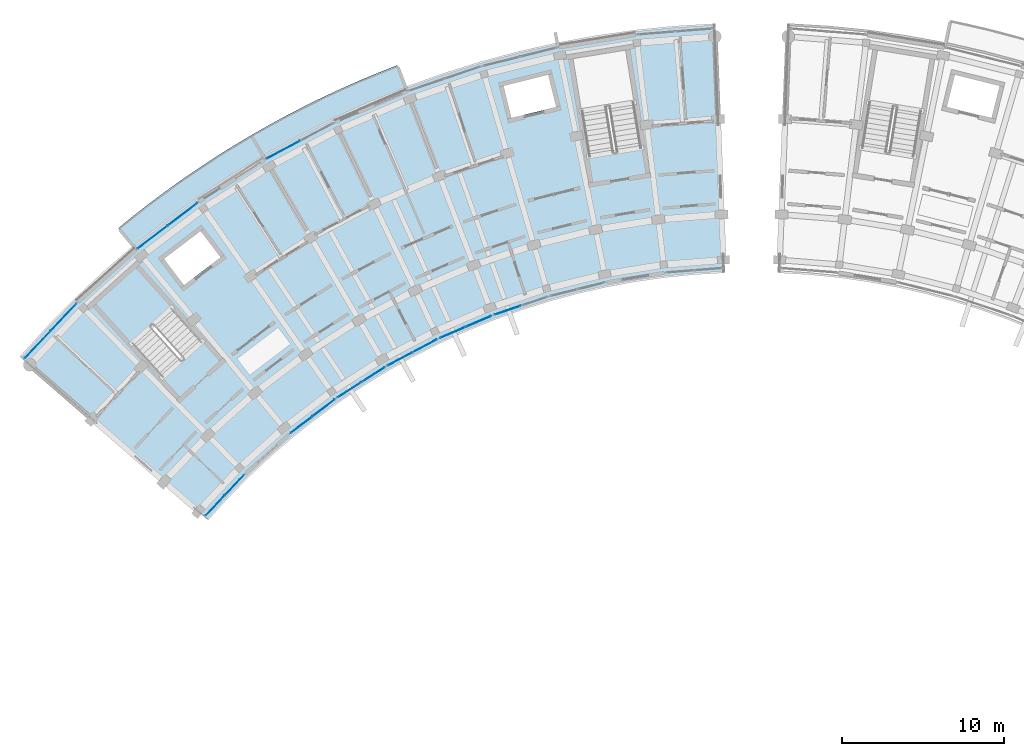
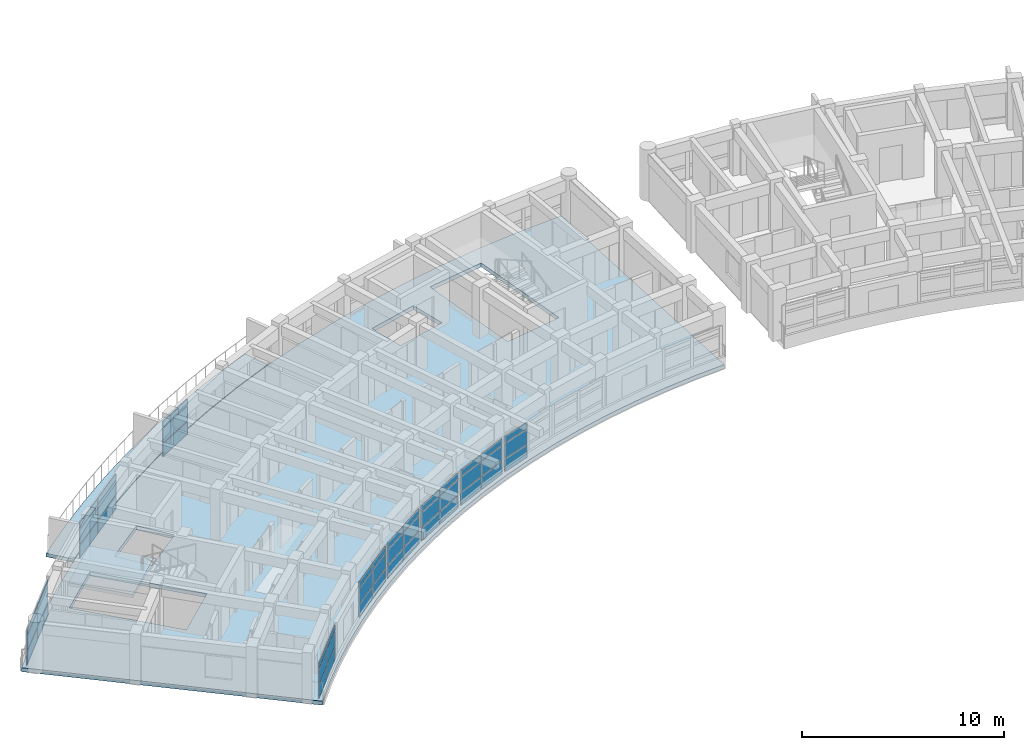
# One storey, part 20 of 54: 48 plates, 3 slabs, 10 elements without a shape of their own.
"""IFC4 building model written with IfcOpenShell, lengths in metres."""

from ifc_helpers import new_model, si_unit, direction, frame, origin, origin_2d, place, context, subcontext, project, spatial, polyline, rectangle, outline, extrude, material, layer, layer_set, type_object, element, aggregate, save


model = new_model("IFC4")

# Units and contexts
model_context = context("Model", 3, precision=1e-05, world=origin(), true_north=direction((0.0, 1.0)))
body_context = subcontext(model_context, "Body", "Model", "MODEL_VIEW")
ifc_project = project(units=[si_unit("LENGTHUNIT", "METRE"), si_unit("AREAUNIT", "SQUARE_METRE"), si_unit("VOLUMEUNIT", "CUBIC_METRE"), si_unit("PLANEANGLEUNIT", "RADIAN"), si_unit("MASSUNIT", "GRAM", prefix="KILO")], contexts=[model_context])

# Site, building, storey
site_placement = place(None, origin())
site = spatial("IfcSite", under=ifc_project, at=site_placement, CompositionType="ELEMENT")
building_placement = place(site_placement, origin())
building = spatial("IfcBuilding", under=site, at=building_placement, Name="Zimvara Arc Housing Community", CompositionType="ELEMENT")
storey_placement = place(building_placement, frame((0.0, 0.0, 20.5)))
storey = spatial("IfcBuildingStorey", under=building, at=storey_placement, Name="L06", CompositionType="ELEMENT", Elevation=20.5)

# Curtain wall, plates
ifc_material_1 = material(Name="Anodised Aluminium AW-6063", Category="aluminium")
curtain_wall_type_1 = type_object("IfcCurtainWallType", Name="CW-SYS-04", PredefinedType="USERDEFINED", material=ifc_material_1)
curtain_wall_1_placement = place(storey_placement, origin())
curtain_wall_1 = element("IfcCurtainWall", 1, at=curtain_wall_1_placement, inside=storey, type_object=curtain_wall_type_1, Name="cw:blkA:L06:in:b2", ObjectType="CURTAIN WALL", PredefinedType="USERDEFINED")
ifc_material_2 = material(Name="Pale-Gold Anodised Aluminium Spandrel Panel", Category="aluminium")
ifc_layer_1 = layer(ifc_material_2, 0.035888671875)
ifc_layer_set_1 = layer_set([ifc_layer_1], Name="Pale-Gold Anodised Aluminium Spandrel Panel")
plate_type_1 = type_object("IfcPlateType", Name="CWP-GLD-36", PredefinedType="CURTAIN_PANEL", material=ifc_layer_set_1)
plate_1_placement = place(storey_placement, frame((17.295654296875, 79.4404296875, 0.06494140625), z_axis=(0.0, 0.0, 1.0), x_axis=(0.795473543119, 0.605988318533, 0.0)))
plate_1 = element("IfcPlate", 2, at=plate_1_placement, type_object=plate_type_1, Name="CW04 panel 1.1", PredefinedType="CURTAIN_PANEL", context=body_context, shape_type="SweptSolid", body=[
    extrude(rectangle(XDim=1.664306640625, YDim=0.035888671875, at=origin_2d()), origin(), (0.0, 0.0, 1.0), 0.75244140625),
])
plate_2_placement = place(storey_placement, frame((17.295654296875, 79.4404296875, 0.88232421875), z_axis=(0.0, 0.0, 1.0), x_axis=(0.795473543119, 0.605988318533, 0.0)))
plate_2 = element("IfcPlate", 3, at=plate_2_placement, type_object=plate_type_1, Name="CW04 panel 1.2", PredefinedType="CURTAIN_PANEL", context=body_context, shape_type="SweptSolid", body=[
    extrude(rectangle(XDim=1.664306640625, YDim=0.035888671875, at=origin_2d()), origin(), (0.0, 0.0, 1.0), 0.885009765625),
])
plate_3_placement = place(storey_placement, frame((17.295654296875, 79.4404296875, 1.83251953125), z_axis=(0.0, 0.0, 1.0), x_axis=(0.795473543119, 0.605988318533, 0.0)))
plate_3 = element("IfcPlate", 4, at=plate_3_placement, type_object=plate_type_1, Name="CW04 panel 1.3", PredefinedType="CURTAIN_PANEL", context=body_context, shape_type="SweptSolid", body=[
    extrude(rectangle(XDim=1.664306640625, YDim=0.035888671875, at=origin_2d()), origin(), (0.0, 0.0, 1.0), 0.3525390625),
])
plate_4_placement = place(storey_placement, frame((18.671142578125, 80.48828125, 0.06494140625), z_axis=(0.0, 0.0, 1.0), x_axis=(0.795473543119, 0.605988318533, 0.0)))
plate_4 = element("IfcPlate", 5, at=plate_4_placement, type_object=plate_type_1, Name="CW04 panel 2.1", PredefinedType="CURTAIN_PANEL", context=body_context, shape_type="SweptSolid", body=[
    extrude(rectangle(XDim=1.664306640625, YDim=0.035888671875, at=origin_2d()), origin(), (0.0, 0.0, 1.0), 0.75244140625),
])
plate_5_placement = place(storey_placement, frame((18.671142578125, 80.48828125, 0.88232421875), z_axis=(0.0, 0.0, 1.0), x_axis=(0.795473543119, 0.605988318533, 0.0)))
plate_5 = element("IfcPlate", 6, at=plate_5_placement, type_object=plate_type_1, Name="CW04 panel 2.2", PredefinedType="CURTAIN_PANEL", context=body_context, shape_type="SweptSolid", body=[
    extrude(rectangle(XDim=1.664306640625, YDim=0.035888671875, at=origin_2d()), origin(), (0.0, 0.0, 1.0), 0.885009765625),
])
plate_6_placement = place(storey_placement, frame((18.671142578125, 80.48828125, 1.83251953125), z_axis=(0.0, 0.0, 1.0), x_axis=(0.795473543119, 0.605988318533, 0.0)))
plate_6 = element("IfcPlate", 7, at=plate_6_placement, type_object=plate_type_1, Name="CW04 panel 2.3", PredefinedType="CURTAIN_PANEL", context=body_context, shape_type="SweptSolid", body=[
    extrude(rectangle(XDim=1.664306640625, YDim=0.035888671875, at=origin_2d()), origin(), (0.0, 0.0, 1.0), 0.3525390625),
])
aggregate(curtain_wall_1, [plate_1, plate_2, plate_3, plate_4, plate_5, plate_6])

ifc_material_3 = material(Name="Anodised Aluminium AW-6063", Category="aluminium")
curtain_wall_type_2 = type_object("IfcCurtainWallType", Name="CW-SYS-08", PredefinedType="USERDEFINED", material=ifc_material_3)
curtain_wall_2_placement = place(storey_placement, origin())
curtain_wall_2 = element("IfcCurtainWall", 8, at=curtain_wall_2_placement, inside=storey, type_object=curtain_wall_type_2, Name="cw:blkA:L06:in:b5", ObjectType="CURTAIN WALL", PredefinedType="USERDEFINED")
plate_7_placement = place(storey_placement, frame((26.599609375, 85.11767578125, 0.06494140625), z_axis=(0.0, 0.0, 1.0), x_axis=(0.918722178415, 0.394904493375, 0.0)))
plate_7 = element("IfcPlate", 9, at=plate_7_placement, type_object=plate_type_1, Name="CW08 panel 1.1", PredefinedType="CURTAIN_PANEL", context=body_context, shape_type="SweptSolid", body=[
    extrude(rectangle(XDim=1.664306640625, YDim=0.035888671875, at=origin_2d()), origin(), (0.0, 0.0, 1.0), 0.75244140625),
])
plate_8_placement = place(storey_placement, frame((26.599609375, 85.11767578125, 0.88232421875), z_axis=(0.0, 0.0, 1.0), x_axis=(0.918722178415, 0.394904493375, 0.0)))
plate_8 = element("IfcPlate", 10, at=plate_8_placement, type_object=plate_type_1, Name="CW08 panel 1.2", PredefinedType="CURTAIN_PANEL", context=body_context, shape_type="SweptSolid", body=[
    extrude(rectangle(XDim=1.664306640625, YDim=0.035888671875, at=origin_2d()), origin(), (0.0, 0.0, 1.0), 0.885009765625),
])
plate_9_placement = place(storey_placement, frame((26.599609375, 85.11767578125, 1.83251953125), z_axis=(0.0, 0.0, 1.0), x_axis=(0.918722178415, 0.394904493375, 0.0)))
plate_9 = element("IfcPlate", 11, at=plate_9_placement, type_object=plate_type_1, Name="CW08 panel 1.3", PredefinedType="CURTAIN_PANEL", context=body_context, shape_type="SweptSolid", body=[
    extrude(rectangle(XDim=1.664306640625, YDim=0.035888671875, at=origin_2d()), origin(), (0.0, 0.0, 1.0), 0.3525390625),
])
plate_10_placement = place(storey_placement, frame((28.1884765625, 85.80078125, 0.06494140625), z_axis=(0.0, 0.0, 1.0), x_axis=(0.918722178415, 0.394904493375, 0.0)))
plate_10 = element("IfcPlate", 12, at=plate_10_placement, type_object=plate_type_1, Name="CW08 panel 2.1", PredefinedType="CURTAIN_PANEL", context=body_context, shape_type="SweptSolid", body=[
    extrude(rectangle(XDim=1.664306640625, YDim=0.035888671875, at=origin_2d()), origin(), (0.0, 0.0, 1.0), 0.75244140625),
])
plate_11_placement = place(storey_placement, frame((28.1884765625, 85.80078125, 0.88232421875), z_axis=(0.0, 0.0, 1.0), x_axis=(0.918722178415, 0.394904493375, 0.0)))
plate_11 = element("IfcPlate", 13, at=plate_11_placement, type_object=plate_type_1, Name="CW08 panel 2.2", PredefinedType="CURTAIN_PANEL", context=body_context, shape_type="SweptSolid", body=[
    extrude(rectangle(XDim=1.664306640625, YDim=0.035888671875, at=origin_2d()), origin(), (0.0, 0.0, 1.0), 0.885009765625),
])
plate_12_placement = place(storey_placement, frame((28.1884765625, 85.80078125, 1.83251953125), z_axis=(0.0, 0.0, 1.0), x_axis=(0.918722178415, 0.394904493375, 0.0)))
plate_12 = element("IfcPlate", 14, at=plate_12_placement, type_object=plate_type_1, Name="CW08 panel 2.3", PredefinedType="CURTAIN_PANEL", context=body_context, shape_type="SweptSolid", body=[
    extrude(rectangle(XDim=1.664306640625, YDim=0.035888671875, at=origin_2d()), origin(), (0.0, 0.0, 1.0), 0.3525390625),
])
aggregate(curtain_wall_2, [plate_7, plate_8, plate_9, plate_10, plate_11, plate_12])

ifc_material_4 = material(Name="Anodised Aluminium AW-6063", Category="aluminium")
curtain_wall_type_3 = type_object("IfcCurtainWallType", Name="CW-SYS-01", PredefinedType="USERDEFINED", material=ifc_material_4)
curtain_wall_3_placement = place(storey_placement, origin())
curtain_wall_3 = element("IfcCurtainWall", 15, at=curtain_wall_3_placement, inside=storey, type_object=curtain_wall_type_3, Name="cw:blkA:L06:out:b0", ObjectType="CURTAIN WALL", PredefinedType="USERDEFINED")
ifc_material_5 = material(Name="Solar Control Low-E Double Glazing", Category="glass")
ifc_layer_2 = layer(ifc_material_5, 0.02392578125)
ifc_layer_set_2 = layer_set([ifc_layer_2], Name="Solar Control Low-E Double Glazing")
plate_type_2 = type_object("IfcPlateType", Name="CWP-GLZ-24", PredefinedType="CURTAIN_PANEL", material=ifc_layer_set_2)
plate_13_placement = place(storey_placement, frame((1.049072265625, 84.3720703125, 0.06494140625), z_axis=(0.0, 0.0, 1.0), x_axis=(0.686326416495, 0.727293647725, 0.0)))
plate_13 = element("IfcPlate", 16, at=plate_13_placement, type_object=plate_type_2, Name="CW01 panel 1.1", PredefinedType="CURTAIN_PANEL", context=body_context, shape_type="SweptSolid", body=[
    extrude(rectangle(XDim=2.266845703125, YDim=0.02392578125, at=origin_2d()), origin(), (0.0, 0.0, 1.0), 0.75244140625),
])
plate_14_placement = place(storey_placement, frame((1.049072265625, 84.3720703125, 0.88232421875), z_axis=(0.0, 0.0, 1.0), x_axis=(0.686326416495, 0.727293647725, 0.0)))
plate_14 = element("IfcPlate", 17, at=plate_14_placement, type_object=plate_type_2, Name="CW01 panel 1.2", PredefinedType="CURTAIN_PANEL", context=body_context, shape_type="SweptSolid", body=[
    extrude(rectangle(XDim=2.266845703125, YDim=0.02392578125, at=origin_2d()), origin(), (0.0, 0.0, 1.0), 0.885009765625),
])
plate_15_placement = place(storey_placement, frame((1.049072265625, 84.3720703125, 1.83251953125), z_axis=(0.0, 0.0, 1.0), x_axis=(0.686326416495, 0.727293647725, 0.0)))
plate_15 = element("IfcPlate", 18, at=plate_15_placement, type_object=plate_type_2, Name="CW01 panel 1.3", PredefinedType="CURTAIN_PANEL", context=body_context, shape_type="SweptSolid", body=[
    extrude(rectangle(XDim=2.266845703125, YDim=0.02392578125, at=origin_2d()), origin(), (0.0, 0.0, 1.0), 0.3525390625),
])
plate_16_placement = place(storey_placement, frame((2.649658203125, 86.068115234375, 0.06494140625), z_axis=(0.0, 0.0, 1.0), x_axis=(0.686326416495, 0.727293647725, 0.0)))
plate_16 = element("IfcPlate", 19, at=plate_16_placement, type_object=plate_type_2, Name="CW01 panel 2.1", PredefinedType="CURTAIN_PANEL", context=body_context, shape_type="SweptSolid", body=[
    extrude(rectangle(XDim=2.266845703125, YDim=0.02392578125, at=origin_2d()), origin(), (0.0, 0.0, 1.0), 0.75244140625),
])
plate_17_placement = place(storey_placement, frame((2.649658203125, 86.068115234375, 0.88232421875), z_axis=(0.0, 0.0, 1.0), x_axis=(0.686326416495, 0.727293647725, 0.0)))
plate_17 = element("IfcPlate", 20, at=plate_17_placement, type_object=plate_type_2, Name="CW01 panel 2.2", PredefinedType="CURTAIN_PANEL", context=body_context, shape_type="SweptSolid", body=[
    extrude(rectangle(XDim=2.266845703125, YDim=0.02392578125, at=origin_2d()), origin(), (0.0, 0.0, 1.0), 0.885009765625),
])
plate_18_placement = place(storey_placement, frame((2.649658203125, 86.068115234375, 1.83251953125), z_axis=(0.0, 0.0, 1.0), x_axis=(0.686326416495, 0.727293647725, 0.0)))
plate_18 = element("IfcPlate", 21, at=plate_18_placement, type_object=plate_type_2, Name="CW01 panel 2.3", PredefinedType="CURTAIN_PANEL", context=body_context, shape_type="SweptSolid", body=[
    extrude(rectangle(XDim=2.266845703125, YDim=0.02392578125, at=origin_2d()), origin(), (0.0, 0.0, 1.0), 0.3525390625),
])
aggregate(curtain_wall_3, [plate_13, plate_14, plate_15, plate_16, plate_17, plate_18])

ifc_material_6 = material(Name="Anodised Aluminium AW-6063", Category="aluminium")
curtain_wall_type_4 = type_object("IfcCurtainWallType", Name="CW-SYS-05", PredefinedType="USERDEFINED", material=ifc_material_6)
curtain_wall_4_placement = place(storey_placement, origin())
curtain_wall_4 = element("IfcCurtainWall", 22, at=curtain_wall_4_placement, inside=storey, type_object=curtain_wall_type_4, Name="cw:blkA:L06:in:b3", ObjectType="CURTAIN WALL", PredefinedType="USERDEFINED")
plate_19_placement = place(storey_placement, frame((20.23876953125, 81.58447265625, 0.06494140625), z_axis=(0.0, 0.0, 1.0), x_axis=(0.842264751752, 0.539064085203, 0.0)))
plate_19 = element("IfcPlate", 23, at=plate_19_placement, type_object=plate_type_2, Name="CW05 panel 1.1", PredefinedType="CURTAIN_PANEL", context=body_context, shape_type="SweptSolid", body=[
    extrude(rectangle(XDim=1.664306640625, YDim=0.02392578125, at=origin_2d()), origin(), (0.0, 0.0, 1.0), 0.75244140625),
])
plate_20_placement = place(storey_placement, frame((20.23876953125, 81.58447265625, 0.88232421875), z_axis=(0.0, 0.0, 1.0), x_axis=(0.842264751752, 0.539064085203, 0.0)))
plate_20 = element("IfcPlate", 24, at=plate_20_placement, type_object=plate_type_2, Name="CW05 panel 1.2", PredefinedType="CURTAIN_PANEL", context=body_context, shape_type="SweptSolid", body=[
    extrude(rectangle(XDim=1.664306640625, YDim=0.02392578125, at=origin_2d()), origin(), (0.0, 0.0, 1.0), 0.885009765625),
])
plate_21_placement = place(storey_placement, frame((20.23876953125, 81.58447265625, 1.83251953125), z_axis=(0.0, 0.0, 1.0), x_axis=(0.842264751752, 0.539064085203, 0.0)))
plate_21 = element("IfcPlate", 25, at=plate_21_placement, type_object=plate_type_2, Name="CW05 panel 1.3", PredefinedType="CURTAIN_PANEL", context=body_context, shape_type="SweptSolid", body=[
    extrude(rectangle(XDim=1.664306640625, YDim=0.02392578125, at=origin_2d()), origin(), (0.0, 0.0, 1.0), 0.3525390625),
])
plate_22_placement = place(storey_placement, frame((21.6953125, 82.5166015625, 0.06494140625), z_axis=(0.0, 0.0, 1.0), x_axis=(0.842264751752, 0.539064085203, 0.0)))
plate_22 = element("IfcPlate", 26, at=plate_22_placement, type_object=plate_type_2, Name="CW05 panel 2.1", PredefinedType="CURTAIN_PANEL", context=body_context, shape_type="SweptSolid", body=[
    extrude(rectangle(XDim=1.664306640625, YDim=0.02392578125, at=origin_2d()), origin(), (0.0, 0.0, 1.0), 0.75244140625),
])
plate_23_placement = place(storey_placement, frame((21.6953125, 82.5166015625, 0.88232421875), z_axis=(0.0, 0.0, 1.0), x_axis=(0.842264751752, 0.539064085203, 0.0)))
plate_23 = element("IfcPlate", 27, at=plate_23_placement, type_object=plate_type_2, Name="CW05 panel 2.2", PredefinedType="CURTAIN_PANEL", context=body_context, shape_type="SweptSolid", body=[
    extrude(rectangle(XDim=1.664306640625, YDim=0.02392578125, at=origin_2d()), origin(), (0.0, 0.0, 1.0), 0.885009765625),
])
plate_24_placement = place(storey_placement, frame((21.6953125, 82.5166015625, 1.83251953125), z_axis=(0.0, 0.0, 1.0), x_axis=(0.842264751752, 0.539064085203, 0.0)))
plate_24 = element("IfcPlate", 28, at=plate_24_placement, type_object=plate_type_2, Name="CW05 panel 2.3", PredefinedType="CURTAIN_PANEL", context=body_context, shape_type="SweptSolid", body=[
    extrude(rectangle(XDim=1.664306640625, YDim=0.02392578125, at=origin_2d()), origin(), (0.0, 0.0, 1.0), 0.3525390625),
])
aggregate(curtain_wall_4, [plate_19, plate_20, plate_21, plate_22, plate_23, plate_24])

ifc_material_7 = material(Name="Anodised Aluminium AW-6063", Category="aluminium")
curtain_wall_type_5 = type_object("IfcCurtainWallType", Name="CW-SYS-02", PredefinedType="USERDEFINED", material=ifc_material_7)
curtain_wall_5_placement = place(storey_placement, origin())
curtain_wall_5 = element("IfcCurtainWall", 29, at=curtain_wall_5_placement, inside=storey, type_object=curtain_wall_type_5, Name="cw:blkA:L06:in:b0", ObjectType="CURTAIN WALL", PredefinedType="USERDEFINED")
ifc_material_8 = material(Name="Solar Control Low-E Double Glazing", Category="glass")
ifc_layer_3 = layer(ifc_material_8, 0.028076171875)
ifc_layer_set_3 = layer_set([ifc_layer_3], Name="Solar Control Low-E Double Glazing")
plate_type_3 = type_object("IfcPlateType", Name="CWP-GLZ-28", PredefinedType="CURTAIN_PANEL", material=ifc_layer_set_3)
plate_25_placement = place(storey_placement, frame((11.981689453125, 74.469482421875, 0.06494140625), z_axis=(0.0, 0.0, 1.0), x_axis=(0.686326805658, 0.727293280483, 0.0)))
plate_25 = element("IfcPlate", 30, at=plate_25_placement, type_object=plate_type_3, Name="CW02 panel 1.1", PredefinedType="CURTAIN_PANEL", context=body_context, shape_type="SweptSolid", body=[
    extrude(rectangle(XDim=1.664306640625, YDim=0.028076171875, at=origin_2d()), origin(), (0.0, 0.0, 1.0), 0.75244140625),
])
plate_26_placement = place(storey_placement, frame((11.981689453125, 74.469482421875, 0.88232421875), z_axis=(0.0, 0.0, 1.0), x_axis=(0.686326805658, 0.727293280483, 0.0)))
plate_26 = element("IfcPlate", 31, at=plate_26_placement, type_object=plate_type_3, Name="CW02 panel 1.2", PredefinedType="CURTAIN_PANEL", context=body_context, shape_type="SweptSolid", body=[
    extrude(rectangle(XDim=1.664306640625, YDim=0.028076171875, at=origin_2d()), origin(), (0.0, 0.0, 1.0), 0.885009765625),
])
plate_27_placement = place(storey_placement, frame((11.981689453125, 74.469482421875, 1.83251953125), z_axis=(0.0, 0.0, 1.0), x_axis=(0.686326805658, 0.727293280483, 0.0)))
plate_27 = element("IfcPlate", 32, at=plate_27_placement, type_object=plate_type_3, Name="CW02 panel 1.3", PredefinedType="CURTAIN_PANEL", context=body_context, shape_type="SweptSolid", body=[
    extrude(rectangle(XDim=1.664306640625, YDim=0.028076171875, at=origin_2d()), origin(), (0.0, 0.0, 1.0), 0.3525390625),
])
plate_28_placement = place(storey_placement, frame((13.168701171875, 75.727294921875, 0.06494140625), z_axis=(0.0, 0.0, 1.0), x_axis=(0.686326805658, 0.727293280483, 0.0)))
plate_28 = element("IfcPlate", 33, at=plate_28_placement, type_object=plate_type_3, Name="CW02 panel 2.1", PredefinedType="CURTAIN_PANEL", context=body_context, shape_type="SweptSolid", body=[
    extrude(rectangle(XDim=1.664306640625, YDim=0.028076171875, at=origin_2d()), origin(), (0.0, 0.0, 1.0), 0.75244140625),
])
plate_29_placement = place(storey_placement, frame((13.168701171875, 75.727294921875, 0.88232421875), z_axis=(0.0, 0.0, 1.0), x_axis=(0.686326805658, 0.727293280483, 0.0)))
plate_29 = element("IfcPlate", 34, at=plate_29_placement, type_object=plate_type_3, Name="CW02 panel 2.2", PredefinedType="CURTAIN_PANEL", context=body_context, shape_type="SweptSolid", body=[
    extrude(rectangle(XDim=1.664306640625, YDim=0.028076171875, at=origin_2d()), origin(), (0.0, 0.0, 1.0), 0.885009765625),
])
plate_30_placement = place(storey_placement, frame((13.168701171875, 75.727294921875, 1.83251953125), z_axis=(0.0, 0.0, 1.0), x_axis=(0.686326805658, 0.727293280483, 0.0)))
plate_30 = element("IfcPlate", 35, at=plate_30_placement, type_object=plate_type_3, Name="CW02 panel 2.3", PredefinedType="CURTAIN_PANEL", context=body_context, shape_type="SweptSolid", body=[
    extrude(rectangle(XDim=1.664306640625, YDim=0.028076171875, at=origin_2d()), origin(), (0.0, 0.0, 1.0), 0.3525390625),
])
aggregate(curtain_wall_5, [plate_25, plate_26, plate_27, plate_28, plate_29, plate_30])

ifc_material_9 = material(Name="Anodised Aluminium AW-6063", Category="aluminium")
curtain_wall_type_6 = type_object("IfcCurtainWallType", Name="CW-SYS-06", PredefinedType="USERDEFINED", material=ifc_material_9)
curtain_wall_6_placement = place(storey_placement, origin())
curtain_wall_6 = element("IfcCurtainWall", 36, at=curtain_wall_6_placement, inside=storey, type_object=curtain_wall_type_6, Name="cw:blkA:L06:out:b4", ObjectType="CURTAIN WALL", PredefinedType="USERDEFINED")
plate_31_placement = place(storey_placement, frame((16.1708984375, 96.36865234375, 0.06494140625), z_axis=(0.0, 0.0, 1.0), x_axis=(0.883438614651, 0.468546917761, 0.0)))
plate_31 = element("IfcPlate", 37, at=plate_31_placement, type_object=plate_type_3, Name="CW06 panel 1.1", PredefinedType="CURTAIN_PANEL", context=body_context, shape_type="SweptSolid", body=[
    extrude(rectangle(XDim=2.266845703125, YDim=0.028076171875, at=origin_2d()), origin(), (0.0, 0.0, 1.0), 0.75244140625),
])
plate_32_placement = place(storey_placement, frame((16.1708984375, 96.36865234375, 0.88232421875), z_axis=(0.0, 0.0, 1.0), x_axis=(0.883438614651, 0.468546917761, 0.0)))
plate_32 = element("IfcPlate", 38, at=plate_32_placement, type_object=plate_type_3, Name="CW06 panel 1.2", PredefinedType="CURTAIN_PANEL", context=body_context, shape_type="SweptSolid", body=[
    extrude(rectangle(XDim=2.266845703125, YDim=0.028076171875, at=origin_2d()), origin(), (0.0, 0.0, 1.0), 0.885009765625),
])
plate_33_placement = place(storey_placement, frame((16.1708984375, 96.36865234375, 1.83251953125), z_axis=(0.0, 0.0, 1.0), x_axis=(0.883438614651, 0.468546917761, 0.0)))
plate_33 = element("IfcPlate", 39, at=plate_33_placement, type_object=plate_type_3, Name="CW06 panel 1.3", PredefinedType="CURTAIN_PANEL", context=body_context, shape_type="SweptSolid", body=[
    extrude(rectangle(XDim=2.266845703125, YDim=0.028076171875, at=origin_2d()), origin(), (0.0, 0.0, 1.0), 0.3525390625),
])
aggregate(curtain_wall_6, [plate_31, plate_32, plate_33])

curtain_wall_7_placement = place(storey_placement, origin())
curtain_wall_7 = element("IfcCurtainWall", 40, at=curtain_wall_7_placement, inside=storey, type_object=curtain_wall_type_5, Name="cw:blkA:L06:in:b6", ObjectType="CURTAIN WALL", PredefinedType="USERDEFINED")
plate_34_placement = place(storey_placement, frame((29.97509765625, 86.483642578125, 0.06494140625), z_axis=(0.0, 0.0, 1.0), x_axis=(0.94787908732, 0.318630249383, 0.0)))
plate_34 = element("IfcPlate", 41, at=plate_34_placement, type_object=plate_type_3, Name="CW02 panel 1.1", PredefinedType="CURTAIN_PANEL", context=body_context, shape_type="SweptSolid", body=[
    extrude(rectangle(XDim=1.664306640625, YDim=0.028076171875, at=origin_2d()), origin(), (0.0, 0.0, 1.0), 0.75244140625),
])
plate_35_placement = place(storey_placement, frame((29.97509765625, 86.483642578125, 0.88232421875), z_axis=(0.0, 0.0, 1.0), x_axis=(0.94787908732, 0.318630249383, 0.0)))
plate_35 = element("IfcPlate", 42, at=plate_35_placement, type_object=plate_type_3, Name="CW02 panel 1.2", PredefinedType="CURTAIN_PANEL", context=body_context, shape_type="SweptSolid", body=[
    extrude(rectangle(XDim=1.664306640625, YDim=0.028076171875, at=origin_2d()), origin(), (0.0, 0.0, 1.0), 0.885009765625),
])
plate_36_placement = place(storey_placement, frame((29.97509765625, 86.483642578125, 1.83251953125), z_axis=(0.0, 0.0, 1.0), x_axis=(0.94787908732, 0.318630249383, 0.0)))
plate_36 = element("IfcPlate", 43, at=plate_36_placement, type_object=plate_type_3, Name="CW02 panel 1.3", PredefinedType="CURTAIN_PANEL", context=body_context, shape_type="SweptSolid", body=[
    extrude(rectangle(XDim=1.664306640625, YDim=0.028076171875, at=origin_2d()), origin(), (0.0, 0.0, 1.0), 0.3525390625),
])
aggregate(curtain_wall_7, [plate_34, plate_35, plate_36])

ifc_material_10 = material(Name="Anodised Aluminium AW-6063", Category="aluminium")
curtain_wall_type_7 = type_object("IfcCurtainWallType", Name="CW-SYS-03", PredefinedType="USERDEFINED", material=ifc_material_10)
curtain_wall_8_placement = place(storey_placement, origin())
curtain_wall_8 = element("IfcCurtainWall", 44, at=curtain_wall_8_placement, inside=storey, type_object=curtain_wall_type_7, Name="cw:blkA:L06:out:b2", ObjectType="CURTAIN WALL", PredefinedType="USERDEFINED")
ifc_material_11 = material(Name="Acoustic Laminated Solar Glazing", Category="glass")
ifc_layer_4 = layer(ifc_material_11, 0.031982421875)
ifc_layer_set_4 = layer_set([ifc_layer_4], Name="Acoustic Laminated Solar Glazing")
plate_type_4 = type_object("IfcPlateType", Name="CWP-GLZ-32", PredefinedType="CURTAIN_PANEL", material=ifc_layer_set_4)
plate_37_placement = place(storey_placement, frame((8.118896484375, 90.9892578125, 0.06494140625), z_axis=(0.0, 0.0, 1.0), x_axis=(0.795473999177, 0.60598771987, 0.0)))
plate_37 = element("IfcPlate", 45, at=plate_37_placement, type_object=plate_type_4, Name="CW03 panel 1.1", PredefinedType="CURTAIN_PANEL", context=body_context, shape_type="SweptSolid", body=[
    extrude(rectangle(XDim=2.266845703125, YDim=0.031982421875, at=origin_2d()), origin(), (0.0, 0.0, 1.0), 0.75244140625),
])
plate_38_placement = place(storey_placement, frame((8.118896484375, 90.9892578125, 0.88232421875), z_axis=(0.0, 0.0, 1.0), x_axis=(0.795473999177, 0.60598771987, 0.0)))
plate_38 = element("IfcPlate", 46, at=plate_38_placement, type_object=plate_type_4, Name="CW03 panel 1.2", PredefinedType="CURTAIN_PANEL", context=body_context, shape_type="SweptSolid", body=[
    extrude(rectangle(XDim=2.266845703125, YDim=0.031982421875, at=origin_2d()), origin(), (0.0, 0.0, 1.0), 0.885009765625),
])
plate_39_placement = place(storey_placement, frame((8.118896484375, 90.9892578125, 1.83251953125), z_axis=(0.0, 0.0, 1.0), x_axis=(0.795473999177, 0.60598771987, 0.0)))
plate_39 = element("IfcPlate", 47, at=plate_39_placement, type_object=plate_type_4, Name="CW03 panel 1.3", PredefinedType="CURTAIN_PANEL", context=body_context, shape_type="SweptSolid", body=[
    extrude(rectangle(XDim=2.266845703125, YDim=0.031982421875, at=origin_2d()), origin(), (0.0, 0.0, 1.0), 0.3525390625),
])
plate_40_placement = place(storey_placement, frame((9.973876953125, 92.40234375, 0.06494140625), z_axis=(0.0, 0.0, 1.0), x_axis=(0.795473999177, 0.60598771987, 0.0)))
plate_40 = element("IfcPlate", 48, at=plate_40_placement, type_object=plate_type_4, Name="CW03 panel 2.1", PredefinedType="CURTAIN_PANEL", context=body_context, shape_type="SweptSolid", body=[
    extrude(rectangle(XDim=2.266845703125, YDim=0.031982421875, at=origin_2d()), origin(), (0.0, 0.0, 1.0), 0.75244140625),
])
plate_41_placement = place(storey_placement, frame((9.973876953125, 92.40234375, 0.88232421875), z_axis=(0.0, 0.0, 1.0), x_axis=(0.795473999177, 0.60598771987, 0.0)))
plate_41 = element("IfcPlate", 49, at=plate_41_placement, type_object=plate_type_4, Name="CW03 panel 2.2", PredefinedType="CURTAIN_PANEL", context=body_context, shape_type="SweptSolid", body=[
    extrude(rectangle(XDim=2.266845703125, YDim=0.031982421875, at=origin_2d()), origin(), (0.0, 0.0, 1.0), 0.885009765625),
])
plate_42_placement = place(storey_placement, frame((9.973876953125, 92.40234375, 1.83251953125), z_axis=(0.0, 0.0, 1.0), x_axis=(0.795473999177, 0.60598771987, 0.0)))
plate_42 = element("IfcPlate", 50, at=plate_42_placement, type_object=plate_type_4, Name="CW03 panel 2.3", PredefinedType="CURTAIN_PANEL", context=body_context, shape_type="SweptSolid", body=[
    extrude(rectangle(XDim=2.266845703125, YDim=0.031982421875, at=origin_2d()), origin(), (0.0, 0.0, 1.0), 0.3525390625),
])
aggregate(curtain_wall_8, [plate_37, plate_38, plate_39, plate_40, plate_41, plate_42])

ifc_material_12 = material(Name="Anodised Aluminium AW-6063", Category="aluminium")
curtain_wall_type_8 = type_object("IfcCurtainWallType", Name="CW-SYS-07", PredefinedType="USERDEFINED", material=ifc_material_12)
curtain_wall_9_placement = place(storey_placement, origin())
curtain_wall_9 = element("IfcCurtainWall", 51, at=curtain_wall_9_placement, inside=storey, type_object=curtain_wall_type_8, Name="cw:blkA:L06:in:b4", ObjectType="CURTAIN WALL", PredefinedType="USERDEFINED")
plate_43_placement = place(storey_placement, frame((23.346923828125, 83.48095703125, 0.06494140625), z_axis=(0.0, 0.0, 1.0), x_axis=(0.88343981815, 0.468544648573, 0.0)))
plate_43 = element("IfcPlate", 52, at=plate_43_placement, type_object=plate_type_4, Name="CW07 panel 1.1", PredefinedType="CURTAIN_PANEL", context=body_context, shape_type="SweptSolid", body=[
    extrude(rectangle(XDim=1.664306640625, YDim=0.031982421875, at=origin_2d()), origin(), (0.0, 0.0, 1.0), 0.75244140625),
])
plate_44_placement = place(storey_placement, frame((23.346923828125, 83.48095703125, 0.88232421875), z_axis=(0.0, 0.0, 1.0), x_axis=(0.88343981815, 0.468544648573, 0.0)))
plate_44 = element("IfcPlate", 53, at=plate_44_placement, type_object=plate_type_4, Name="CW07 panel 1.2", PredefinedType="CURTAIN_PANEL", context=body_context, shape_type="SweptSolid", body=[
    extrude(rectangle(XDim=1.664306640625, YDim=0.031982421875, at=origin_2d()), origin(), (0.0, 0.0, 1.0), 0.885009765625),
])
plate_45_placement = place(storey_placement, frame((23.346923828125, 83.48095703125, 1.83251953125), z_axis=(0.0, 0.0, 1.0), x_axis=(0.88343981815, 0.468544648573, 0.0)))
plate_45 = element("IfcPlate", 54, at=plate_45_placement, type_object=plate_type_4, Name="CW07 panel 1.3", PredefinedType="CURTAIN_PANEL", context=body_context, shape_type="SweptSolid", body=[
    extrude(rectangle(XDim=1.664306640625, YDim=0.031982421875, at=origin_2d()), origin(), (0.0, 0.0, 1.0), 0.3525390625),
])
plate_46_placement = place(storey_placement, frame((24.874755859375, 84.291259765625, 0.06494140625), z_axis=(0.0, 0.0, 1.0), x_axis=(0.88343981815, 0.468544648573, 0.0)))
plate_46 = element("IfcPlate", 55, at=plate_46_placement, type_object=plate_type_4, Name="CW07 panel 2.1", PredefinedType="CURTAIN_PANEL", context=body_context, shape_type="SweptSolid", body=[
    extrude(rectangle(XDim=1.664306640625, YDim=0.031982421875, at=origin_2d()), origin(), (0.0, 0.0, 1.0), 0.75244140625),
])
plate_47_placement = place(storey_placement, frame((24.874755859375, 84.291259765625, 0.88232421875), z_axis=(0.0, 0.0, 1.0), x_axis=(0.88343981815, 0.468544648573, 0.0)))
plate_47 = element("IfcPlate", 56, at=plate_47_placement, type_object=plate_type_4, Name="CW07 panel 2.2", PredefinedType="CURTAIN_PANEL", context=body_context, shape_type="SweptSolid", body=[
    extrude(rectangle(XDim=1.664306640625, YDim=0.031982421875, at=origin_2d()), origin(), (0.0, 0.0, 1.0), 0.885009765625),
])
plate_48_placement = place(storey_placement, frame((24.874755859375, 84.291259765625, 1.83251953125), z_axis=(0.0, 0.0, 1.0), x_axis=(0.88343981815, 0.468544648573, 0.0)))
plate_48 = element("IfcPlate", 57, at=plate_48_placement, type_object=plate_type_4, Name="CW07 panel 2.3", PredefinedType="CURTAIN_PANEL", context=body_context, shape_type="SweptSolid", body=[
    extrude(rectangle(XDim=1.664306640625, YDim=0.031982421875, at=origin_2d()), origin(), (0.0, 0.0, 1.0), 0.3525390625),
])
aggregate(curtain_wall_9, [plate_43, plate_44, plate_45, plate_46, plate_47, plate_48])

# Stair, slab
ifc_material_13 = material(Name="Concrete C35/45", Category="concrete")
stair_type = type_object("IfcStairType", Name="STR-DL-312-310", PredefinedType="HALF_TURN_STAIR", material=ifc_material_13)
stair_placement = place(storey_placement, origin())
stair = element("IfcStair", 58, at=stair_placement, inside=storey, type_object=stair_type, Name="L06 Block A Exit Stair 1", PredefinedType="HALF_TURN_STAIR")
ifc_material_14 = material(Name="Concrete C35/45", Category="concrete")
ifc_layer_5 = layer(ifc_material_14, 0.199951171875)
ifc_layer_set_5 = layer_set([ifc_layer_5], Name="Concrete C35/45")
slab_type_1 = type_object("IfcSlabType", Name="SLB-STAIR-LND-200", PredefinedType="LANDING", material=ifc_layer_set_5)
slab_1_placement = place(storey_placement, frame((0.0, 0.0, 1.35009765625)))
slab_1 = element("IfcSlab", 59, at=slab_1_placement, type_object=slab_type_1, Name="ST-A1 landing 1", PredefinedType="LANDING", context=body_context, shape_type="SweptSolid", body=[
    extrude(outline(polyline([(9.3486328125, 86.634521484375), (7.09326171875, 89.14111328125), (4.595458984375, 86.8935546875), (6.850830078125, 84.386962890625), (9.3486328125, 86.634521484375)])), origin(), (0.0, 0.0, 1.0), 0.199951171875),
])
aggregate(stair, [slab_1])

# Slabs
ifc_material_15 = material(Name="Concrete C35/45", Category="concrete")
ifc_layer_6 = layer(ifc_material_15, 0.2099609375)
ifc_layer_set_6 = layer_set([ifc_layer_6], Name="Concrete C35/45")
slab_type_2 = type_object("IfcSlabType", Name="SLB-TER-210", PredefinedType="FLOOR", material=ifc_layer_set_6)
slab_2_placement = place(storey_placement, frame((0.0, 0.0, -0.2099609375)))
element("IfcSlab", 60, at=slab_2_placement, inside=storey, type_object=slab_type_2, Name="slab:blkA:L06:bal_out", PredefinedType="FLOOR", context=body_context, shape_type="SweptSolid", body=[
    extrude(outline(polyline([(6.0205078125, 91.55126953125), (6.958251953125, 90.419189453125), (6.958740234375, 90.41943359375), (8.864501953125, 91.93359375), (8.865478515625, 91.9345703125), (10.831298828125, 93.36962890625), (10.832275390625, 93.370361328125), (12.85498046875, 94.723876953125), (12.856201171875, 94.724609375), (14.932373046875, 95.994384765625), (14.93359375, 95.9951171875), (17.06005859375, 97.17919921875), (17.06103515625, 97.1796875), (19.234130859375, 98.27587890625), (19.2353515625, 98.276611328125), (21.451416015625, 99.283203125), (21.452392578125, 99.28369140625), (23.707763671875, 100.198974609375), (23.708251953125, 100.19921875), (23.183349609375, 101.572265625), (22.0224609375, 101.114990234375), (20.871337890625, 100.634033203125), (19.730224609375, 100.129638671875), (18.599609375, 99.60205078125), (17.47998046875, 99.051513671875), (16.371826171875, 98.47802734375), (15.275634765625, 97.88232421875), (14.19189453125, 97.26416015625), (13.120849609375, 96.624267578125), (12.063232421875, 95.96240234375), (11.019287109375, 95.279052734375), (9.989501953125, 94.57470703125), (8.974365234375, 93.849365234375), (7.97412109375, 93.103515625), (6.989501953125, 92.337158203125), (6.0205078125, 91.55126953125)])), origin(), (0.0, 0.0, 1.0), 0.2099609375),
])
ifc_material_16 = material(Name="Concrete C35/45", Category="concrete")
ifc_layer_7 = layer(ifc_material_16, 0.241943359375)
ifc_layer_set_7 = layer_set([ifc_layer_7], Name="Concrete C35/45")
slab_type_3 = type_object("IfcSlabType", Name="SLB-VAR-07", PredefinedType="FLOOR", material=ifc_layer_set_7)
slab_3_placement = place(storey_placement, frame((0.0, 0.0, -0.241943359375)))
element("IfcSlab", 61, at=slab_3_placement, inside=storey, type_object=slab_type_3, Name="slab:blkA:L06:main", PredefinedType="FLOOR", context=body_context, shape_type="SweptSolid", body=[
    extrude(outline(polyline([(11.490966796875, 73.62890625), (12.708251953125, 74.972900390625), (13.979248046875, 76.265869140625), (15.302001953125, 77.506103515625), (16.674560546875, 78.69091796875), (18.093994140625, 79.819091796875), (19.55859375, 80.88818359375), (21.0654296875, 81.896484375), (22.6123046875, 82.842529296875), (24.196533203125, 83.724609375), (25.8154296875, 84.541259765625), (27.46630859375, 85.291259765625), (29.146240234375, 85.97314453125), (30.852783203125, 86.5859375), (32.5830078125, 87.12841796875), (34.333984375, 87.599853515625), (36.1025390625, 87.999267578125), (37.885986328125, 88.326416015625), (39.681396484375, 88.580322265625), (41.485595703125, 88.7607421875), (43.295654296875, 88.8671875), (42.712158203125, 104.05615234375), (40.282470703125, 103.9130859375), (37.860595703125, 103.6708984375), (35.450439453125, 103.330078125), (33.056640625, 102.89111328125), (30.682373046875, 102.354736328125), (28.332275390625, 101.721923828125), (26.009765625, 100.99365234375), (23.718994140625, 100.171142578125), (21.463623046875, 99.255859375), (19.247802734375, 98.249267578125), (17.07470703125, 97.15283203125), (14.947998046875, 95.96875), (12.871826171875, 94.698974609375), (10.848876953125, 93.34521484375), (8.883056640625, 91.91015625), (6.9775390625, 90.39599609375), (5.13525390625, 88.805419921875), (3.359619140625, 87.140869140625), (1.6533203125, 85.405029296875), (0.019287109375, 83.60107421875), (11.490966796875, 73.62890625)]), holes=[polyline([(8.73193359375, 82.356201171875), (4.65185546875, 86.890625), (7.090087890625, 89.08447265625), (11.17041015625, 84.550048828125), (8.73193359375, 82.356201171875)]), polyline([(34.9853515625, 95.960205078125), (34.008056640625, 101.9814453125), (37.24560546875, 102.507080078125), (38.222900390625, 96.48583984375), (34.9853515625, 95.960205078125)]), polyline([(10.05615234375, 88.02685546875), (8.820068359375, 89.649658203125), (11.0791015625, 91.37060546875), (12.3154296875, 89.747802734375), (10.05615234375, 88.02685546875)]), polyline([(30.216796875, 98.324951171875), (29.726806640625, 100.30517578125), (32.483642578125, 100.9873046875), (32.9736328125, 99.007080078125), (30.216796875, 98.324951171875)])]), origin(), (0.0, 0.0, 1.0), 0.241943359375),
])

save(model, "model.ifc")
